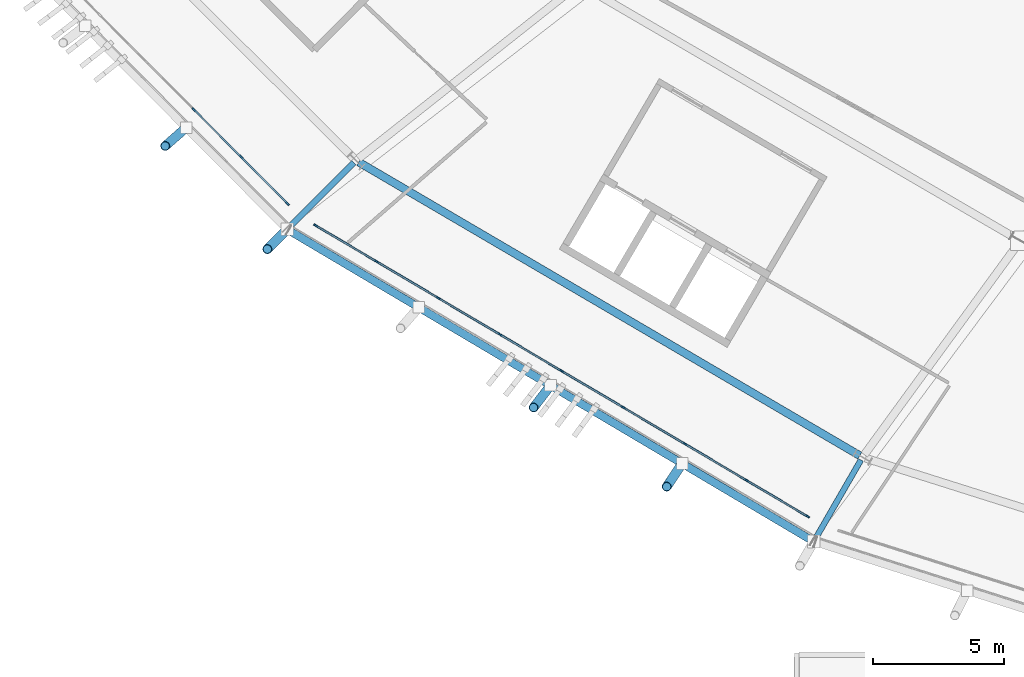
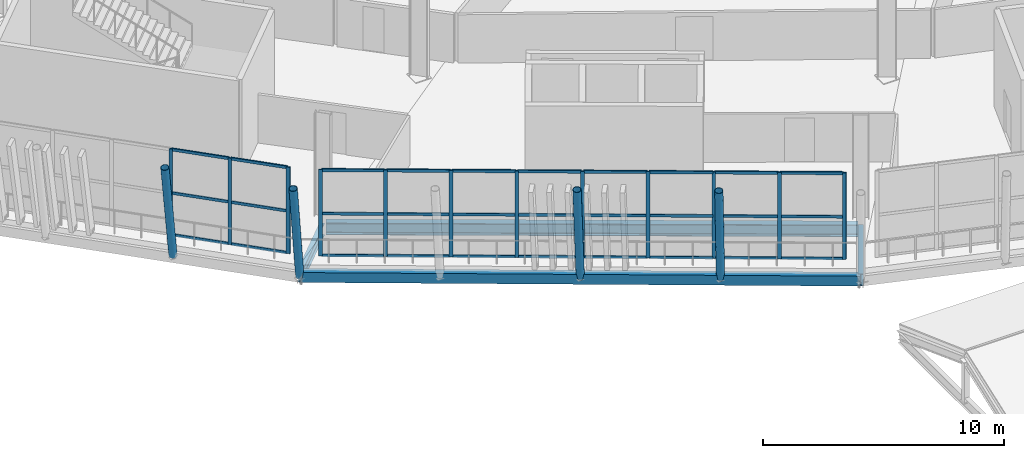
# One storey, part 22 of 168: 46 members, 4 beams, 2 elements without a shape of their own.
"""IFC4 building model written with IfcOpenShell, lengths in metres."""

from ifc_helpers import new_model, si_unit, direction, frame, origin, origin_2d, place, context, subcontext, project, spatial, rectangle, hollow_rectangle, hollow_circle, i_section, extrude, material, material_profile, profile_set, type_object, element, aggregate, save


model = new_model("IFC4")

# Units and contexts
model_context = context("Model", 3, precision=1e-05, world=origin(), true_north=direction((0.0, 1.0)))
body_context = subcontext(model_context, "Body", "Model", "MODEL_VIEW")
ifc_project = project(units=[si_unit("LENGTHUNIT", "METRE"), si_unit("AREAUNIT", "SQUARE_METRE"), si_unit("VOLUMEUNIT", "CUBIC_METRE"), si_unit("PLANEANGLEUNIT", "RADIAN"), si_unit("MASSUNIT", "GRAM", prefix="KILO")], contexts=[model_context])

# Site, building, storey
site_placement = place(None, origin())
site = spatial("IfcSite", under=ifc_project, at=site_placement, CompositionType="ELEMENT")
building_placement = place(site_placement, origin())
building = spatial("IfcBuilding", under=site, at=building_placement, Name="Zlatoyarsky Gate Stadium", CompositionType="ELEMENT")
storey_placement = place(building_placement, frame((0.0, 0.0, 15.60009765625)))
storey = spatial("IfcBuildingStorey", under=building, at=storey_placement, Name="L03", CompositionType="ELEMENT", Elevation=15.60009765625)

# Curtain wall, members
ifc_material_1 = material(Name="Thermally broken anodised aluminium curtain wall", Category="aluminium")
curtain_wall_type = type_object("IfcCurtainWallType", Name="UNITISED CORPORATE BOX GLAZING L03", PredefinedType="USERDEFINED", material=ifc_material_1)
curtain_wall_1_placement = place(storey_placement, origin())
curtain_wall_1 = element("IfcCurtainWall", 1, at=curtain_wall_1_placement, inside=storey, type_object=curtain_wall_type, Name="Curtain wall CW-L03-14", ObjectType="UNITISED GLAZING", PredefinedType="USERDEFINED")
ifc_material_2 = material(Name="Anodised aluminium 6063-T6", Category="aluminium")
ifc_material_profile_1 = material_profile(ifc_material_2, rectangle(XDim=0.06494140625, YDim=0.159912109375, at=origin_2d()), Name="ALU 65X160")
ifc_profile_set_1 = profile_set([ifc_material_profile_1], Name="Anodised aluminium 6063-T6")
member_type_1 = type_object("IfcMemberType", Name="ALUMINIUM MULLION 65X160", PredefinedType="MULLION", material=ifc_profile_set_1)
member_1_placement = place(storey_placement, frame((39.07275390625, 31.734375, 0.0), z_axis=(0.0, 0.0, 1.0), x_axis=(0.708721143054, 0.705488725202, 0.0)))
member_1 = element("IfcMember", 2, at=member_1_placement, type_object=member_type_1, Name="CW-UG3 mullion 7", PredefinedType="MULLION", context=body_context, shape_type="SweptSolid", body=[
    extrude(rectangle(XDim=0.06494140625, YDim=0.159912109375, at=origin_2d()), origin(), (0.0, 0.0, 1.0), 4.3798828125),
])
member_2_placement = place(storey_placement, frame((40.865234375, 29.933837890625, 0.0), z_axis=(0.0, 0.0, 1.0), x_axis=(0.708721143054, 0.705488725202, 0.0)))
member_2 = element("IfcMember", 3, at=member_2_placement, type_object=member_type_1, Name="CW-UG3 mullion 8", PredefinedType="MULLION", context=body_context, shape_type="SweptSolid", body=[
    extrude(rectangle(XDim=0.06494140625, YDim=0.159912109375, at=origin_2d()), origin(), (0.0, 0.0, 1.0), 4.3798828125),
])
member_3_placement = place(storey_placement, frame((42.634765625, 28.15625, 0.0), z_axis=(0.0, 0.0, 1.0), x_axis=(0.708721143054, 0.705488725202, 0.0)))
member_3 = element("IfcMember", 4, at=member_3_placement, type_object=member_type_1, Name="CW-UG3 mullion 9", PredefinedType="MULLION", context=body_context, shape_type="SweptSolid", body=[
    extrude(rectangle(XDim=0.06494140625, YDim=0.159912109375, at=origin_2d()), origin(), (0.0, 0.0, 1.0), 4.3798828125),
])

curtain_wall_2_placement = place(storey_placement, origin())
curtain_wall_2 = element("IfcCurtainWall", 5, at=curtain_wall_2_placement, inside=storey, type_object=curtain_wall_type, Name="Curtain wall CW-L03-15", ObjectType="UNITISED GLAZING", PredefinedType="USERDEFINED")
member_4_placement = place(storey_placement, frame((43.70361328125, 27.324951171875, 0.0), z_axis=(0.0, 0.0, 1.0), x_axis=(0.509098466593, 0.860708284678, 0.0)))
member_4 = element("IfcMember", 6, at=member_4_placement, type_object=member_type_1, Name="CW-UG3 mullion 1", PredefinedType="MULLION", context=body_context, shape_type="SweptSolid", body=[
    extrude(rectangle(XDim=0.06494140625, YDim=0.159912109375, at=origin_2d()), origin(), (0.0, 0.0, 1.0), 4.3798828125),
])
member_5_placement = place(storey_placement, frame((46.021240234375, 25.954345703125, 0.0), z_axis=(0.0, 0.0, 1.0), x_axis=(0.509098466593, 0.860708284678, 0.0)))
member_5 = element("IfcMember", 7, at=member_5_placement, type_object=member_type_1, Name="CW-UG3 mullion 2", PredefinedType="MULLION", context=body_context, shape_type="SweptSolid", body=[
    extrude(rectangle(XDim=0.06494140625, YDim=0.159912109375, at=origin_2d()), origin(), (0.0, 0.0, 1.0), 4.3798828125),
])
member_6_placement = place(storey_placement, frame((48.36669921875, 24.56689453125, 0.0), z_axis=(0.0, 0.0, 1.0), x_axis=(0.509098466593, 0.860708284678, 0.0)))
member_6 = element("IfcMember", 8, at=member_6_placement, type_object=member_type_1, Name="CW-UG3 mullion 3", PredefinedType="MULLION", context=body_context, shape_type="SweptSolid", body=[
    extrude(rectangle(XDim=0.06494140625, YDim=0.159912109375, at=origin_2d()), origin(), (0.0, 0.0, 1.0), 4.3798828125),
])
member_7_placement = place(storey_placement, frame((50.712158203125, 23.1796875, 0.0), z_axis=(0.0, 0.0, 1.0), x_axis=(0.509098466593, 0.860708284678, 0.0)))
member_7 = element("IfcMember", 9, at=member_7_placement, type_object=member_type_1, Name="CW-UG3 mullion 4", PredefinedType="MULLION", context=body_context, shape_type="SweptSolid", body=[
    extrude(rectangle(XDim=0.06494140625, YDim=0.159912109375, at=origin_2d()), origin(), (0.0, 0.0, 1.0), 4.3798828125),
])
member_8_placement = place(storey_placement, frame((53.0576171875, 21.792236328125, 0.0), z_axis=(0.0, 0.0, 1.0), x_axis=(0.509098466593, 0.860708284678, 0.0)))
member_8 = element("IfcMember", 10, at=member_8_placement, type_object=member_type_1, Name="CW-UG3 mullion 5", PredefinedType="MULLION", context=body_context, shape_type="SweptSolid", body=[
    extrude(rectangle(XDim=0.06494140625, YDim=0.159912109375, at=origin_2d()), origin(), (0.0, 0.0, 1.0), 4.3798828125),
])
member_9_placement = place(storey_placement, frame((55.403076171875, 20.405029296875, 0.0), z_axis=(0.0, 0.0, 1.0), x_axis=(0.509098466593, 0.860708284678, 0.0)))
member_9 = element("IfcMember", 11, at=member_9_placement, type_object=member_type_1, Name="CW-UG3 mullion 6", PredefinedType="MULLION", context=body_context, shape_type="SweptSolid", body=[
    extrude(rectangle(XDim=0.06494140625, YDim=0.159912109375, at=origin_2d()), origin(), (0.0, 0.0, 1.0), 4.3798828125),
])
member_10_placement = place(storey_placement, frame((57.74853515625, 19.017822265625, 0.0), z_axis=(0.0, 0.0, 1.0), x_axis=(0.509098466593, 0.860708284678, 0.0)))
member_10 = element("IfcMember", 12, at=member_10_placement, type_object=member_type_1, Name="CW-UG3 mullion 7", PredefinedType="MULLION", context=body_context, shape_type="SweptSolid", body=[
    extrude(rectangle(XDim=0.06494140625, YDim=0.159912109375, at=origin_2d()), origin(), (0.0, 0.0, 1.0), 4.3798828125),
])
member_11_placement = place(storey_placement, frame((60.093994140625, 17.63037109375, 0.0), z_axis=(0.0, 0.0, 1.0), x_axis=(0.509098466593, 0.860708284678, 0.0)))
member_11 = element("IfcMember", 13, at=member_11_placement, type_object=member_type_1, Name="CW-UG3 mullion 8", PredefinedType="MULLION", context=body_context, shape_type="SweptSolid", body=[
    extrude(rectangle(XDim=0.06494140625, YDim=0.159912109375, at=origin_2d()), origin(), (0.0, 0.0, 1.0), 4.3798828125),
])
member_12_placement = place(storey_placement, frame((62.411376953125, 16.259765625, 0.0), z_axis=(0.0, 0.0, 1.0), x_axis=(0.509098466593, 0.860708284678, 0.0)))
member_12 = element("IfcMember", 14, at=member_12_placement, type_object=member_type_1, Name="CW-UG3 mullion 9", PredefinedType="MULLION", context=body_context, shape_type="SweptSolid", body=[
    extrude(rectangle(XDim=0.06494140625, YDim=0.159912109375, at=origin_2d()), origin(), (0.0, 0.0, 1.0), 4.3798828125),
])

# Member
ifc_material_profile_2 = material_profile(ifc_material_2, rectangle(XDim=0.06494140625, YDim=0.139892578125, at=origin_2d()), Name="ALU 65X140")
ifc_profile_set_2 = profile_set([ifc_material_profile_2], Name="Anodised aluminium 6063-T6")
member_type_2 = type_object("IfcMemberType", Name="ALUMINIUM TRANSOM 65X140", PredefinedType="USERDEFINED", material=ifc_profile_set_2)
member_13_placement = place(storey_placement, frame((39.095703125, 31.71142578125, 0.032470703125), z_axis=(0.705477793712, -0.708732024519, 0.0), x_axis=(0.708732024519, 0.705477793712, 0.0)))
member_13 = element("IfcMember", 15, at=member_13_placement, type_object=member_type_2, Name="CW-UG3 transom 7.1", ObjectType="TRANSOM", PredefinedType="USERDEFINED", context=body_context, shape_type="SweptSolid", body=[
    extrude(rectangle(XDim=0.06494140625, YDim=0.139892578125, at=origin_2d()), origin(), (0.0, 0.0, 1.0), 2.475830078125),
])

member_14_placement = place(storey_placement, frame((39.095703125, 31.71142578125, 2.14990234375), z_axis=(0.705477793712, -0.708732024519, 0.0), x_axis=(0.708732024519, 0.705477793712, 0.0)))
member_14 = element("IfcMember", 16, at=member_14_placement, type_object=member_type_2, Name="CW-UG3 transom 7.2", ObjectType="TRANSOM", PredefinedType="USERDEFINED", context=body_context, shape_type="SweptSolid", body=[
    extrude(rectangle(XDim=0.06494140625, YDim=0.139892578125, at=origin_2d()), origin(), (0.0, 0.0, 1.0), 2.475830078125),
])

member_15_placement = place(storey_placement, frame((39.095703125, 31.71142578125, 4.347412109375), z_axis=(0.705477793712, -0.708732024519, 0.0), x_axis=(0.708732024519, 0.705477793712, 0.0)))
member_15 = element("IfcMember", 17, at=member_15_placement, type_object=member_type_2, Name="CW-UG3 transom 7.3", ObjectType="TRANSOM", PredefinedType="USERDEFINED", context=body_context, shape_type="SweptSolid", body=[
    extrude(rectangle(XDim=0.06494140625, YDim=0.139892578125, at=origin_2d()), origin(), (0.0, 0.0, 1.0), 2.475830078125),
])

member_16_placement = place(storey_placement, frame((40.88818359375, 29.910888671875, 0.032470703125), z_axis=(0.705456130135, -0.708753587967, 0.0), x_axis=(0.708753587967, 0.705456130135, 0.0)))
member_16 = element("IfcMember", 18, at=member_16_placement, type_object=member_type_2, Name="CW-UG3 transom 8.1", ObjectType="TRANSOM", PredefinedType="USERDEFINED", context=body_context, shape_type="SweptSolid", body=[
    extrude(rectangle(XDim=0.06494140625, YDim=0.139892578125, at=origin_2d()), origin(), (0.0, 0.0, 1.0), 2.443359375),
])

member_17_placement = place(storey_placement, frame((40.88818359375, 29.910888671875, 2.14990234375), z_axis=(0.705456130135, -0.708753587967, 0.0), x_axis=(0.708753587967, 0.705456130135, 0.0)))
member_17 = element("IfcMember", 19, at=member_17_placement, type_object=member_type_2, Name="CW-UG3 transom 8.2", ObjectType="TRANSOM", PredefinedType="USERDEFINED", context=body_context, shape_type="SweptSolid", body=[
    extrude(rectangle(XDim=0.06494140625, YDim=0.139892578125, at=origin_2d()), origin(), (0.0, 0.0, 1.0), 2.443359375),
])

member_18_placement = place(storey_placement, frame((40.88818359375, 29.910888671875, 4.347412109375), z_axis=(0.705456130135, -0.708753587967, 0.0), x_axis=(0.708753587967, 0.705456130135, 0.0)))
member_18 = element("IfcMember", 20, at=member_18_placement, type_object=member_type_2, Name="CW-UG3 transom 8.3", ObjectType="TRANSOM", PredefinedType="USERDEFINED", context=body_context, shape_type="SweptSolid", body=[
    extrude(rectangle(XDim=0.06494140625, YDim=0.139892578125, at=origin_2d()), origin(), (0.0, 0.0, 1.0), 2.443359375),
])

aggregate(curtain_wall_1, [member_1, member_2, member_3, member_13, member_14, member_15, member_16, member_17, member_18])

member_19_placement = place(storey_placement, frame((43.731689453125, 27.30859375, 0.032470703125), z_axis=(0.860706316995, -0.509101793244, 0.0), x_axis=(0.509101793244, 0.860706316995, 0.0)))
member_19 = element("IfcMember", 21, at=member_19_placement, type_object=member_type_2, Name="CW-UG3 transom 1.1", ObjectType="TRANSOM", PredefinedType="USERDEFINED", context=body_context, shape_type="SweptSolid", body=[
    extrude(rectangle(XDim=0.06494140625, YDim=0.139892578125, at=origin_2d()), origin(), (0.0, 0.0, 1.0), 2.62744140625),
])

member_20_placement = place(storey_placement, frame((43.731689453125, 27.30859375, 2.14990234375), z_axis=(0.860706316995, -0.509101793244, 0.0), x_axis=(0.509101793244, 0.860706316995, 0.0)))
member_20 = element("IfcMember", 22, at=member_20_placement, type_object=member_type_2, Name="CW-UG3 transom 1.2", ObjectType="TRANSOM", PredefinedType="USERDEFINED", context=body_context, shape_type="SweptSolid", body=[
    extrude(rectangle(XDim=0.06494140625, YDim=0.139892578125, at=origin_2d()), origin(), (0.0, 0.0, 1.0), 2.62744140625),
])

member_21_placement = place(storey_placement, frame((43.731689453125, 27.30859375, 4.347412109375), z_axis=(0.860706316995, -0.509101793244, 0.0), x_axis=(0.509101793244, 0.860706316995, 0.0)))
member_21 = element("IfcMember", 23, at=member_21_placement, type_object=member_type_2, Name="CW-UG3 transom 1.3", ObjectType="TRANSOM", PredefinedType="USERDEFINED", context=body_context, shape_type="SweptSolid", body=[
    extrude(rectangle(XDim=0.06494140625, YDim=0.139892578125, at=origin_2d()), origin(), (0.0, 0.0, 1.0), 2.62744140625),
])

member_22_placement = place(storey_placement, frame((46.049072265625, 25.937744140625, 0.032470703125), z_axis=(0.860707189663, -0.509100317878, 0.0), x_axis=(0.509100317878, 0.860707189663, 0.0)))
member_22 = element("IfcMember", 24, at=member_22_placement, type_object=member_type_2, Name="CW-UG3 transom 2.1", ObjectType="TRANSOM", PredefinedType="USERDEFINED", context=body_context, shape_type="SweptSolid", body=[
    extrude(rectangle(XDim=0.06494140625, YDim=0.139892578125, at=origin_2d()), origin(), (0.0, 0.0, 1.0), 2.66015625),
])

member_23_placement = place(storey_placement, frame((46.049072265625, 25.937744140625, 2.14990234375), z_axis=(0.860707189663, -0.509100317878, 0.0), x_axis=(0.509100317878, 0.860707189663, 0.0)))
member_23 = element("IfcMember", 25, at=member_23_placement, type_object=member_type_2, Name="CW-UG3 transom 2.2", ObjectType="TRANSOM", PredefinedType="USERDEFINED", context=body_context, shape_type="SweptSolid", body=[
    extrude(rectangle(XDim=0.06494140625, YDim=0.139892578125, at=origin_2d()), origin(), (0.0, 0.0, 1.0), 2.66015625),
])

member_24_placement = place(storey_placement, frame((46.049072265625, 25.937744140625, 4.347412109375), z_axis=(0.860707189663, -0.509100317878, 0.0), x_axis=(0.509100317878, 0.860707189663, 0.0)))
member_24 = element("IfcMember", 26, at=member_24_placement, type_object=member_type_2, Name="CW-UG3 transom 2.3", ObjectType="TRANSOM", PredefinedType="USERDEFINED", context=body_context, shape_type="SweptSolid", body=[
    extrude(rectangle(XDim=0.06494140625, YDim=0.139892578125, at=origin_2d()), origin(), (0.0, 0.0, 1.0), 2.66015625),
])

member_25_placement = place(storey_placement, frame((48.39453125, 24.550537109375, 0.032470703125), z_axis=(0.860707189663, -0.509100317878, 0.0), x_axis=(0.509100317878, 0.860707189663, 0.0)))
member_25 = element("IfcMember", 27, at=member_25_placement, type_object=member_type_2, Name="CW-UG3 transom 3.1", ObjectType="TRANSOM", PredefinedType="USERDEFINED", context=body_context, shape_type="SweptSolid", body=[
    extrude(rectangle(XDim=0.06494140625, YDim=0.139892578125, at=origin_2d()), origin(), (0.0, 0.0, 1.0), 2.66015625),
])

member_26_placement = place(storey_placement, frame((48.39453125, 24.550537109375, 2.14990234375), z_axis=(0.860707189663, -0.509100317878, 0.0), x_axis=(0.509100317878, 0.860707189663, 0.0)))
member_26 = element("IfcMember", 28, at=member_26_placement, type_object=member_type_2, Name="CW-UG3 transom 3.2", ObjectType="TRANSOM", PredefinedType="USERDEFINED", context=body_context, shape_type="SweptSolid", body=[
    extrude(rectangle(XDim=0.06494140625, YDim=0.139892578125, at=origin_2d()), origin(), (0.0, 0.0, 1.0), 2.66015625),
])

member_27_placement = place(storey_placement, frame((48.39453125, 24.550537109375, 4.347412109375), z_axis=(0.860707189663, -0.509100317878, 0.0), x_axis=(0.509100317878, 0.860707189663, 0.0)))
member_27 = element("IfcMember", 29, at=member_27_placement, type_object=member_type_2, Name="CW-UG3 transom 3.3", ObjectType="TRANSOM", PredefinedType="USERDEFINED", context=body_context, shape_type="SweptSolid", body=[
    extrude(rectangle(XDim=0.06494140625, YDim=0.139892578125, at=origin_2d()), origin(), (0.0, 0.0, 1.0), 2.66015625),
])

member_28_placement = place(storey_placement, frame((50.739990234375, 23.1630859375, 0.032470703125), z_axis=(0.860707189663, -0.509100317878, 0.0), x_axis=(0.509100317878, 0.860707189663, 0.0)))
member_28 = element("IfcMember", 30, at=member_28_placement, type_object=member_type_2, Name="CW-UG3 transom 4.1", ObjectType="TRANSOM", PredefinedType="USERDEFINED", context=body_context, shape_type="SweptSolid", body=[
    extrude(rectangle(XDim=0.06494140625, YDim=0.139892578125, at=origin_2d()), origin(), (0.0, 0.0, 1.0), 2.66015625),
])

member_29_placement = place(storey_placement, frame((50.739990234375, 23.1630859375, 2.14990234375), z_axis=(0.860707189663, -0.509100317878, 0.0), x_axis=(0.509100317878, 0.860707189663, 0.0)))
member_29 = element("IfcMember", 31, at=member_29_placement, type_object=member_type_2, Name="CW-UG3 transom 4.2", ObjectType="TRANSOM", PredefinedType="USERDEFINED", context=body_context, shape_type="SweptSolid", body=[
    extrude(rectangle(XDim=0.06494140625, YDim=0.139892578125, at=origin_2d()), origin(), (0.0, 0.0, 1.0), 2.66015625),
])

member_30_placement = place(storey_placement, frame((50.739990234375, 23.1630859375, 4.347412109375), z_axis=(0.860707189663, -0.509100317878, 0.0), x_axis=(0.509100317878, 0.860707189663, 0.0)))
member_30 = element("IfcMember", 32, at=member_30_placement, type_object=member_type_2, Name="CW-UG3 transom 4.3", ObjectType="TRANSOM", PredefinedType="USERDEFINED", context=body_context, shape_type="SweptSolid", body=[
    extrude(rectangle(XDim=0.06494140625, YDim=0.139892578125, at=origin_2d()), origin(), (0.0, 0.0, 1.0), 2.66015625),
])

member_31_placement = place(storey_placement, frame((53.08544921875, 21.77587890625, 0.032470703125), z_axis=(0.860707189663, -0.509100317878, 0.0), x_axis=(0.509100317878, 0.860707189663, 0.0)))
member_31 = element("IfcMember", 33, at=member_31_placement, type_object=member_type_2, Name="CW-UG3 transom 5.1", ObjectType="TRANSOM", PredefinedType="USERDEFINED", context=body_context, shape_type="SweptSolid", body=[
    extrude(rectangle(XDim=0.06494140625, YDim=0.139892578125, at=origin_2d()), origin(), (0.0, 0.0, 1.0), 2.66015625),
])

member_32_placement = place(storey_placement, frame((53.08544921875, 21.77587890625, 2.14990234375), z_axis=(0.860707189663, -0.509100317878, 0.0), x_axis=(0.509100317878, 0.860707189663, 0.0)))
member_32 = element("IfcMember", 34, at=member_32_placement, type_object=member_type_2, Name="CW-UG3 transom 5.2", ObjectType="TRANSOM", PredefinedType="USERDEFINED", context=body_context, shape_type="SweptSolid", body=[
    extrude(rectangle(XDim=0.06494140625, YDim=0.139892578125, at=origin_2d()), origin(), (0.0, 0.0, 1.0), 2.66015625),
])

member_33_placement = place(storey_placement, frame((53.08544921875, 21.77587890625, 4.347412109375), z_axis=(0.860707189663, -0.509100317878, 0.0), x_axis=(0.509100317878, 0.860707189663, 0.0)))
member_33 = element("IfcMember", 35, at=member_33_placement, type_object=member_type_2, Name="CW-UG3 transom 5.3", ObjectType="TRANSOM", PredefinedType="USERDEFINED", context=body_context, shape_type="SweptSolid", body=[
    extrude(rectangle(XDim=0.06494140625, YDim=0.139892578125, at=origin_2d()), origin(), (0.0, 0.0, 1.0), 2.66015625),
])

member_34_placement = place(storey_placement, frame((55.430908203125, 20.388427734375, 0.032470703125), z_axis=(0.860707189663, -0.509100317878, 0.0), x_axis=(0.509100317878, 0.860707189663, 0.0)))
member_34 = element("IfcMember", 36, at=member_34_placement, type_object=member_type_2, Name="CW-UG3 transom 6.1", ObjectType="TRANSOM", PredefinedType="USERDEFINED", context=body_context, shape_type="SweptSolid", body=[
    extrude(rectangle(XDim=0.06494140625, YDim=0.139892578125, at=origin_2d()), origin(), (0.0, 0.0, 1.0), 2.66015625),
])

member_35_placement = place(storey_placement, frame((55.430908203125, 20.388427734375, 2.14990234375), z_axis=(0.860707189663, -0.509100317878, 0.0), x_axis=(0.509100317878, 0.860707189663, 0.0)))
member_35 = element("IfcMember", 37, at=member_35_placement, type_object=member_type_2, Name="CW-UG3 transom 6.2", ObjectType="TRANSOM", PredefinedType="USERDEFINED", context=body_context, shape_type="SweptSolid", body=[
    extrude(rectangle(XDim=0.06494140625, YDim=0.139892578125, at=origin_2d()), origin(), (0.0, 0.0, 1.0), 2.66015625),
])

member_36_placement = place(storey_placement, frame((55.430908203125, 20.388427734375, 4.347412109375), z_axis=(0.860707189663, -0.509100317878, 0.0), x_axis=(0.509100317878, 0.860707189663, 0.0)))
member_36 = element("IfcMember", 38, at=member_36_placement, type_object=member_type_2, Name="CW-UG3 transom 6.3", ObjectType="TRANSOM", PredefinedType="USERDEFINED", context=body_context, shape_type="SweptSolid", body=[
    extrude(rectangle(XDim=0.06494140625, YDim=0.139892578125, at=origin_2d()), origin(), (0.0, 0.0, 1.0), 2.66015625),
])

member_37_placement = place(storey_placement, frame((57.7763671875, 19.001220703125, 0.032470703125), z_axis=(0.860707189663, -0.509100317878, 0.0), x_axis=(0.509100317878, 0.860707189663, 0.0)))
member_37 = element("IfcMember", 39, at=member_37_placement, type_object=member_type_2, Name="CW-UG3 transom 7.1", ObjectType="TRANSOM", PredefinedType="USERDEFINED", context=body_context, shape_type="SweptSolid", body=[
    extrude(rectangle(XDim=0.06494140625, YDim=0.139892578125, at=origin_2d()), origin(), (0.0, 0.0, 1.0), 2.66015625),
])

member_38_placement = place(storey_placement, frame((57.7763671875, 19.001220703125, 2.14990234375), z_axis=(0.860707189663, -0.509100317878, 0.0), x_axis=(0.509100317878, 0.860707189663, 0.0)))
member_38 = element("IfcMember", 40, at=member_38_placement, type_object=member_type_2, Name="CW-UG3 transom 7.2", ObjectType="TRANSOM", PredefinedType="USERDEFINED", context=body_context, shape_type="SweptSolid", body=[
    extrude(rectangle(XDim=0.06494140625, YDim=0.139892578125, at=origin_2d()), origin(), (0.0, 0.0, 1.0), 2.66015625),
])

member_39_placement = place(storey_placement, frame((57.7763671875, 19.001220703125, 4.347412109375), z_axis=(0.860707189663, -0.509100317878, 0.0), x_axis=(0.509100317878, 0.860707189663, 0.0)))
member_39 = element("IfcMember", 41, at=member_39_placement, type_object=member_type_2, Name="CW-UG3 transom 7.3", ObjectType="TRANSOM", PredefinedType="USERDEFINED", context=body_context, shape_type="SweptSolid", body=[
    extrude(rectangle(XDim=0.06494140625, YDim=0.139892578125, at=origin_2d()), origin(), (0.0, 0.0, 1.0), 2.66015625),
])

member_40_placement = place(storey_placement, frame((60.121826171875, 17.61376953125, 0.032470703125), z_axis=(0.860730397217, -0.509061080133, 0.0), x_axis=(0.509061080133, 0.860730397217, 0.0)))
member_40 = element("IfcMember", 42, at=member_40_placement, type_object=member_type_2, Name="CW-UG3 transom 8.1", ObjectType="TRANSOM", PredefinedType="USERDEFINED", context=body_context, shape_type="SweptSolid", body=[
    extrude(rectangle(XDim=0.06494140625, YDim=0.139892578125, at=origin_2d()), origin(), (0.0, 0.0, 1.0), 2.627685546875),
])

member_41_placement = place(storey_placement, frame((60.121826171875, 17.61376953125, 2.14990234375), z_axis=(0.860730397217, -0.509061080133, 0.0), x_axis=(0.509061080133, 0.860730397217, 0.0)))
member_41 = element("IfcMember", 43, at=member_41_placement, type_object=member_type_2, Name="CW-UG3 transom 8.2", ObjectType="TRANSOM", PredefinedType="USERDEFINED", context=body_context, shape_type="SweptSolid", body=[
    extrude(rectangle(XDim=0.06494140625, YDim=0.139892578125, at=origin_2d()), origin(), (0.0, 0.0, 1.0), 2.627685546875),
])

member_42_placement = place(storey_placement, frame((60.121826171875, 17.61376953125, 4.347412109375), z_axis=(0.860730397217, -0.509061080133, 0.0), x_axis=(0.509061080133, 0.860730397217, 0.0)))
member_42 = element("IfcMember", 44, at=member_42_placement, type_object=member_type_2, Name="CW-UG3 transom 8.3", ObjectType="TRANSOM", PredefinedType="USERDEFINED", context=body_context, shape_type="SweptSolid", body=[
    extrude(rectangle(XDim=0.06494140625, YDim=0.139892578125, at=origin_2d()), origin(), (0.0, 0.0, 1.0), 2.627685546875),
])

aggregate(curtain_wall_2, [member_4, member_5, member_6, member_7, member_8, member_9, member_10, member_11, member_12, member_19, member_20, member_21, member_22, member_23, member_24, member_25, member_26, member_27, member_28, member_29, member_30, member_31, member_32, member_33, member_34, member_35, member_36, member_37, member_38, member_39, member_40, member_41, member_42])

# Beams
ifc_material_3 = material(Name="Steel S355", Category="steel")
ifc_material_profile_3 = material_profile(ifc_material_3, i_section(OverallWidth=0.219970703125, OverallDepth=0.60009765625, WebThickness=0.011962890625, FlangeThickness=0.01904296875, FilletRadius=0.02392578125, at=origin_2d()), Name="IPE 600")
ifc_profile_set_3 = profile_set([ifc_material_profile_3], Name="Steel S355")
beam_type_1 = type_object("IfcBeamType", Name="STEEL CANTILEVER FLOOR BEAM IPE 600", PredefinedType="BEAM", material=ifc_profile_set_3)
for number, where, z_axis, x_axis, name in (
    (45, (45.154296875, 29.71044921875, -0.580078125), (-0.707140856158, -0.707072704572, 0.0), (0.707072704572, -0.707140856158, 0.0), "Beam B-IPE600 BM-L03-OUT-15"),
    (46, (64.43994140625, 18.408203125, -0.580078125), (-0.499980071345, -0.866036909293, 0.0), (0.866036909293, -0.499980071345, 0.0), "Beam B-IPE600 BM-L03-OUT-16"),
):
    element("IfcBeam", number, at=place(storey_placement, frame(where, z_axis=z_axis, x_axis=x_axis)), inside=storey, type_object=beam_type_1, Name=name, PredefinedType="BEAM", context=body_context, shape_type="SweptSolid", body=[
        extrude(i_section(OverallWidth=0.219970703125, OverallDepth=0.60009765625, WebThickness=0.011962890625, FlangeThickness=0.01904296875, FilletRadius=0.02392578125, at=origin_2d()), origin(), (0.0, 0.0, 1.0), 3.582275390625),
    ])

# Members
ifc_material_profile_4 = material_profile(ifc_material_3, hollow_circle(Radius=0.177734375, WallThickness=0.02001953125, at=origin_2d()), Name="CHS 355.6X20")
ifc_profile_set_4 = profile_set([ifc_material_profile_4], Name="Steel S355")
member_type_3 = type_object("IfcMemberType", Name="STEEL LEANING RIB RING STRUT CHS 355.6X20", PredefinedType="STRUT", material=ifc_profile_set_4)
member_43_placement = place(storey_placement, frame((42.62109375, 27.177490234375, -0.580078125), z_axis=(-0.142688105255, -0.142688105255, 0.97942851155), x_axis=(0.707106781187, -0.707106781187, 0.0)))
element("IfcMember", 47, at=member_43_placement, inside=storey, type_object=member_type_3, Name="Leaning ring strut 15 L03 to L04", PredefinedType="STRUT", context=body_context, shape_type="SweptSolid", body=[
    extrude(hollow_circle(Radius=0.177734375, WallThickness=0.02001953125, at=origin_2d()), origin(), (0.0, 0.0, 1.0), 5.288818359375),
])
member_44_placement = place(storey_placement, frame((38.779296875, 31.04541015625, -0.530029296875), z_axis=(-0.150758944474, -0.132289242241, 0.979679180675), x_axis=(0.659563347668, -0.75164898085, 0.0)))
element("IfcMember", 48, at=member_44_placement, inside=storey, type_object=member_type_3, Name="Outward-leaning bowl louvre fin rib L03 14-3", PredefinedType="STRUT", context=body_context, shape_type="SweptSolid", body=[
    extrude(hollow_circle(Radius=0.177734375, WallThickness=0.02001953125, at=origin_2d()), origin(), (0.0, 0.0, 1.0), 5.287353515625),
])
member_45_placement = place(storey_placement, frame((52.635009765625, 21.24169921875, -0.530029296875), z_axis=(-0.121818424354, -0.158807263592, 0.979765545689), x_axis=(0.793446654293, -0.608639800531, 0.0)))
element("IfcMember", 49, at=member_45_placement, inside=storey, type_object=member_type_3, Name="Outward-leaning bowl louvre fin rib L03 15-2", PredefinedType="STRUT", context=body_context, shape_type="SweptSolid", body=[
    extrude(hollow_circle(Radius=0.177734375, WallThickness=0.02001953125, at=origin_2d()), origin(), (0.0, 0.0, 1.0), 5.286865234375),
])
member_46_placement = place(storey_placement, frame((57.64208984375, 18.27392578125, -0.530029296875), z_axis=(-0.111417541829, -0.166826182606, 0.979670942802), x_axis=(0.83158967587, -0.555390503148, 0.0)))
element("IfcMember", 50, at=member_46_placement, inside=storey, type_object=member_type_3, Name="Outward-leaning bowl louvre fin rib L03 15-3", PredefinedType="STRUT", context=body_context, shape_type="SweptSolid", body=[
    extrude(hollow_circle(Radius=0.177734375, WallThickness=0.02001953125, at=origin_2d()), origin(), (0.0, 0.0, 1.0), 5.287353515625),
])

# Beams
ifc_material_profile_5 = material_profile(ifc_material_3, hollow_rectangle(XDim=0.300048828125, YDim=0.5, WallThickness=0.02001953125, at=origin_2d()), Name="RHS 500X300X20")
ifc_profile_set_5 = profile_set([ifc_material_profile_5], Name="Steel S355")
beam_type_2 = type_object("IfcBeamType", Name="STEEL LOUVRE CARRIER SPANDREL RHS 500X300X20", PredefinedType="SPANDREL", material=ifc_profile_set_5)
beam_1_placement = place(storey_placement, frame((42.638427734375, 27.16748046875, -0.530029296875), z_axis=(0.860225151422, -0.509914393659, 0.0), x_axis=(0.509914393659, 0.860225151422, 0.0)))
element("IfcBeam", 51, at=beam_1_placement, inside=storey, type_object=beam_type_2, Name="Beam SP-RHS500 BM-L03-SPD-15", PredefinedType="SPANDREL", context=body_context, shape_type="SweptSolid", body=[
    extrude(hollow_rectangle(XDim=0.300048828125, YDim=0.5, WallThickness=0.02001953125, at=origin_2d()), origin(), (0.0, 0.0, 1.0), 23.24169921875),
])
ifc_material_profile_6 = material_profile(ifc_material_3, i_section(OverallWidth=0.300048828125, OverallDepth=0.60009765625, WebThickness=0.015380859375, FlangeThickness=0.030029296875, FilletRadius=0.027099609375, at=origin_2d()), Name="HEB 600")
ifc_profile_set_6 = profile_set([ifc_material_profile_6], Name="Steel S355")
beam_type_3 = type_object("IfcBeamType", Name="STEEL PRIMARY GIRDER HEB 600", PredefinedType="BEAM", material=ifc_profile_set_6)
beam_2_placement = place(storey_placement, frame((45.342529296875, 29.734619140625, -0.580078125), z_axis=(0.862854775092, -0.505451913738, 0.0), x_axis=(0.505451913738, 0.862854775092, 0.0)))
element("IfcBeam", 52, at=beam_2_placement, inside=storey, type_object=beam_type_3, Name="Beam G-HEB600 BM-L03-CRC-15", PredefinedType="BEAM", context=body_context, shape_type="SweptSolid", body=[
    extrude(i_section(OverallWidth=0.300048828125, OverallDepth=0.60009765625, WebThickness=0.015380859375, FlangeThickness=0.030029296875, FilletRadius=0.027099609375, at=origin_2d()), origin(), (0.0, 0.0, 1.0), 22.08251953125),
])

save(model, "model.ifc")
